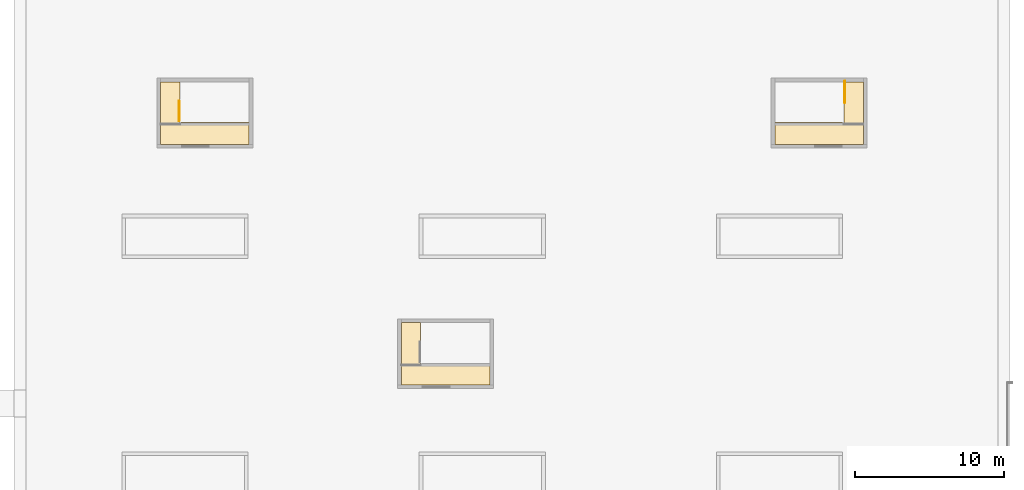
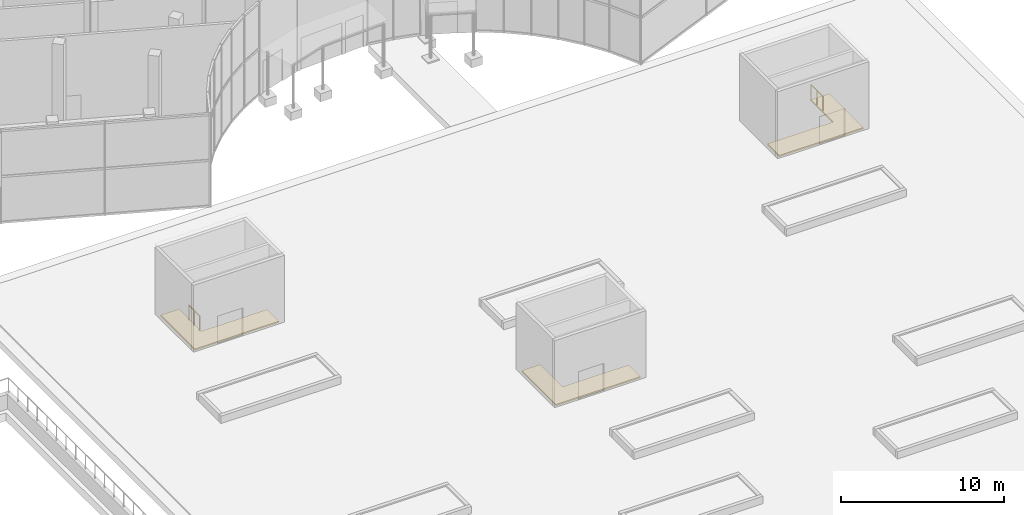
# One storey, part 45 of 60: 3 coverings, 2 railings.
"""IFC4 building model written with IfcOpenShell, lengths in metres."""

from ifc_helpers import new_model, si_unit, direction, frame, origin, origin_2d, place, context, subcontext, project, spatial, polyline, circle, outline, extrude, material, layer, layer_set, type_object, element, save


model = new_model("IFC4")

# Units and contexts
model_context = context("Model", 3, precision=1e-05, world=origin(), true_north=direction((0.0, 1.0)))
body_context = subcontext(model_context, "Body", "Model", "MODEL_VIEW")
ifc_project = project(units=[si_unit("LENGTHUNIT", "METRE"), si_unit("AREAUNIT", "SQUARE_METRE"), si_unit("VOLUMEUNIT", "CUBIC_METRE"), si_unit("PLANEANGLEUNIT", "RADIAN"), si_unit("MASSUNIT", "GRAM", prefix="KILO")], contexts=[model_context])

# Site, building, storey
site_placement = place(None, origin())
site = spatial("IfcSite", under=ifc_project, at=site_placement, CompositionType="ELEMENT")
building_placement = place(site_placement, origin())
building = spatial("IfcBuilding", under=site, at=building_placement, Name="Stone Belt Terrace Tower", CompositionType="ELEMENT")
storey_placement = place(building_placement, origin())
storey = spatial("IfcBuildingStorey", under=building, at=storey_placement, Name="L00", CompositionType="ELEMENT", Elevation=0.0)

# Railings
ifc_material_1 = material(Name="Structural steel C345", Category="steel")
railing_type = type_object("IfcRailingType", Name="Car park guard 1100", PredefinedType="GUARDRAIL", material=ifc_material_1)
railing_1_placement = place(storey_placement, frame((-22.39990234375, -4.97998046875, 0.0)))
element("IfcRailing", 1, at=railing_1_placement, inside=storey, type_object=railing_type, Name="L00 CS3 top well guard 1", PredefinedType="GUARDRAIL", context=body_context, shape_type="SweptSolid", body=[
    extrude(circle(Radius=0.02392578125, at=origin_2d()), frame((0.0, 0.0, 1.076171875), z_axis=(0.0, 1.0, 0.0), x_axis=(-1.0, 0.0, 0.0)), (0.0, 0.0, 1.0), 1.330078125),
    extrude(circle(Radius=0.02099609375, at=origin_2d()), origin(), (0.0, 0.0, 1.0), 1.052001953125),
    extrude(circle(Radius=0.02099609375, at=origin_2d()), frame((0.0, 0.6650390625, 0.0)), (0.0, 0.0, 1.0), 1.052001953125),
    extrude(circle(Radius=0.02099609375, at=origin_2d()), frame((0.0, 1.330078125, 0.0)), (0.0, 0.0, 1.0), 1.052001953125),
])
railing_2_placement = place(storey_placement, frame((22.39990234375, -2.300048828125, 0.0)))
element("IfcRailing", 2, at=railing_2_placement, inside=storey, type_object=railing_type, Name="L00 CS4 top well guard 1", PredefinedType="GUARDRAIL", context=body_context, shape_type="SweptSolid", body=[
    extrude(circle(Radius=0.02392578125, at=origin_2d()), frame((0.0, 0.0, 1.076171875), z_axis=(0.0, -1.0, 0.0), x_axis=(1.0, 0.0, 0.0)), (0.0, 0.0, 1.0), 1.449951171875),
    extrude(circle(Radius=0.02099609375, at=origin_2d()), origin(), (0.0, 0.0, 1.0), 1.052001953125),
    extrude(circle(Radius=0.02099609375, at=origin_2d()), frame((0.0, -0.72509765625, 0.0)), (0.0, 0.0, 1.0), 1.052001953125),
    extrude(circle(Radius=0.02099609375, at=origin_2d()), frame((0.0, -1.449951171875, 0.0)), (0.0, 0.0, 1.0), 1.052001953125),
])

# Coverings
ifc_material_2 = material(Name="Cement screed")
ifc_layer = layer(ifc_material_2, 0.10009765625)
ifc_layer_set = layer_set([ifc_layer], Name="House floor finish 100")
covering_type = type_object("IfcCoveringType", Name="House floor finish 100", PredefinedType="FLOORING", material=ifc_layer_set)
covering_1_placement = place(storey_placement, frame((0.0, 0.0, -0.10009765625)))
element("IfcCovering", 3, at=covering_1_placement, inside=storey, type_object=covering_type, Name="Car park stair 3 house floor", PredefinedType="FLOORING", context=body_context, shape_type="SweptSolid", body=[
    extrude(outline(polyline([(-23.64990234375, -6.550048828125), (-17.68994140625, -6.550048828125), (-17.68994140625, -5.096923828125), (-22.346923828125, -5.096923828125), (-22.346923828125, -2.35009765625), (-23.64990234375, -2.35009765625), (-23.64990234375, -6.550048828125)])), origin(), (0.0, 0.0, 1.0), 0.10009765625),
])
covering_2_placement = place(storey_placement, frame((0.0, 0.0, -0.10009765625)))
element("IfcCovering", 4, at=covering_2_placement, inside=storey, type_object=covering_type, Name="Car park stair 4 house floor", PredefinedType="FLOORING", context=body_context, shape_type="SweptSolid", body=[
    extrude(outline(polyline([(17.68994140625, -6.550048828125), (23.64990234375, -6.550048828125), (23.64990234375, -2.35009765625), (22.346923828125, -2.35009765625), (22.346923828125, -5.096923828125), (17.68994140625, -5.096923828125), (17.68994140625, -6.550048828125)])), origin(), (0.0, 0.0, 1.0), 0.10009765625),
])
covering_3_placement = place(storey_placement, frame((0.0, 0.0, -0.10009765625)))
element("IfcCovering", 5, at=covering_3_placement, inside=storey, type_object=covering_type, Name="Car park stair 5 house floor", PredefinedType="FLOORING", context=body_context, shape_type="SweptSolid", body=[
    extrude(outline(polyline([(-7.449951171875, -22.75), (-1.489990234375, -22.75), (-1.489990234375, -21.297119140625), (-6.14697265625, -21.297119140625), (-6.14697265625, -18.550048828125), (-7.449951171875, -18.550048828125), (-7.449951171875, -22.75)])), origin(), (0.0, 0.0, 1.0), 0.10009765625),
])

save(model, "model.ifc")
